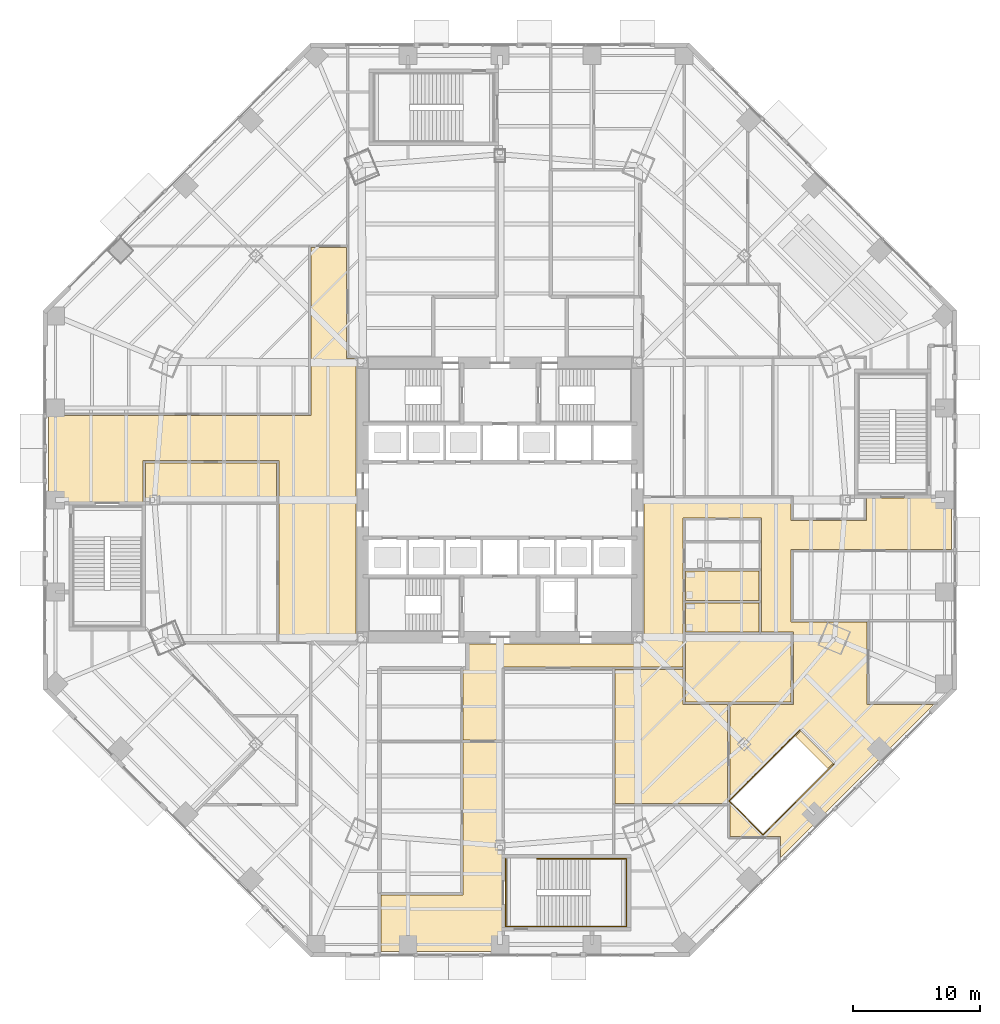
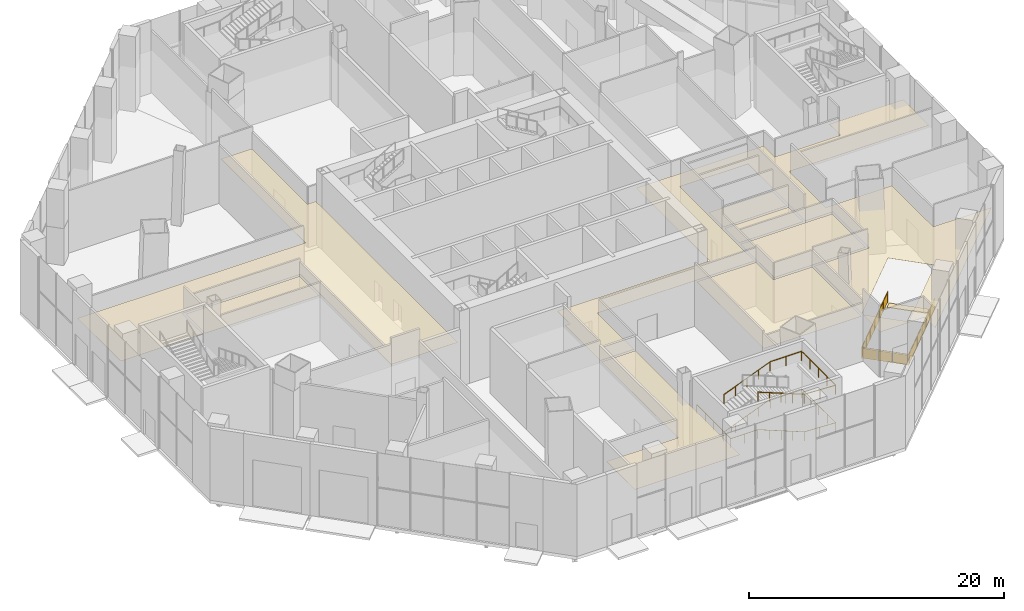
# One storey, part 30 of 35: 9 coverings, 3 railings.
"""IFC4 building model written with IfcOpenShell, lengths in metres."""

from ifc_helpers import new_model, si_unit, direction, frame, origin, origin_2d, place, context, subcontext, project, spatial, polyline, circle, outline, extrude, material, layer, layer_set, type_object, element, save


model = new_model("IFC4")

# Units and contexts
model_context = context("Model", 3, precision=1e-05, world=origin(), true_north=direction((0.0, 1.0)))
body_context = subcontext(model_context, "Body", "Model", "MODEL_VIEW")
ifc_project = project(units=[si_unit("LENGTHUNIT", "METRE"), si_unit("AREAUNIT", "SQUARE_METRE"), si_unit("VOLUMEUNIT", "CUBIC_METRE"), si_unit("PLANEANGLEUNIT", "RADIAN"), si_unit("MASSUNIT", "GRAM", prefix="KILO")], contexts=[model_context])

# Site, building, storey
site_placement = place(None, origin())
site = spatial("IfcSite", under=ifc_project, at=site_placement, CompositionType="ELEMENT")
building_placement = place(site_placement, origin())
building = spatial("IfcBuilding", under=site, at=building_placement, Name="Mashrafa Tower", CompositionType="ELEMENT")
storey_placement = place(building_placement, origin())
storey = spatial("IfcBuildingStorey", under=building, at=storey_placement, Name="L00", CompositionType="ELEMENT", Elevation=0.0)

# Covering
ifc_material_1 = material(Name="Stainless steel chequer plate flooring", Category="steel")
ifc_layer_1 = layer(ifc_material_1, 0.050048828125)
ifc_layer_set_1 = layer_set([ifc_layer_1], Name="Escalator landing plate 50")
covering_type_1 = type_object("IfcCoveringType", Name="Escalator landing plate 50", PredefinedType="FLOORING", material=ifc_layer_set_1)
covering_1_placement = place(storey_placement, frame((0.0, 0.0, -0.050048828125)))
element("IfcCovering", 1, at=covering_1_placement, inside=storey, type_object=covering_type_1, Name="Escalator landing plate L00", PredefinedType="FLOORING", context=body_context, shape_type="SweptSolid", body=[
    extrude(outline(polyline([(23.259765625, -18.60107421875), (25.805419921875, -21.146484375), (26.2294921875, -20.722412109375), (23.68408203125, -18.1767578125), (23.259765625, -18.60107421875)])), origin(), (0.0, 0.0, 1.0), 0.050048828125),
])

# Railings
ifc_material_2 = material(Name="Steel guard with glass infill", Category="steel")
railing_type_1 = type_object("IfcRailingType", Name="Opening guard 1100", PredefinedType="GUARDRAIL", material=ifc_material_2)
railing_1_placement = place(storey_placement, frame((23.61328125, -18.10595703125, 0.0)))
element("IfcRailing", 2, at=railing_1_placement, inside=storey, type_object=railing_type_1, Name="Escalator opening guard L00", PredefinedType="GUARDRAIL", context=body_context, shape_type="SweptSolid", body=[
    extrude(circle(Radius=0.02392578125, at=origin_2d()), frame((0.0, 0.0, 1.076171875), z_axis=(-0.707106781187, -0.707106781187, 0.0), x_axis=(0.707106781187, -0.707106781187, 0.0)), (0.0, 0.0, 1.0), 7.894287109375),
    extrude(circle(Radius=0.02392578125, at=origin_2d()), frame((-5.58203125, -5.58203125, 1.076171875), z_axis=(0.707106781187, -0.707106781187, 0.0), x_axis=(0.707106781187, 0.707106781187, 0.0)), (0.0, 0.0, 1.0), 3.800048828125),
    extrude(circle(Radius=0.02392578125, at=origin_2d()), frame((-2.89501953125, -8.26904296875, 1.076171875), z_axis=(0.707106781187, 0.707106781187, 0.0), x_axis=(-0.707106781187, 0.707106781187, 0.0)), (0.0, 0.0, 1.0), 7.894287109375),
    extrude(circle(Radius=0.02099609375, at=origin_2d()), origin(), (0.0, 0.0, 1.0), 1.052001953125),
    extrude(circle(Radius=0.02099609375, at=origin_2d()), frame((-0.930419921875, -0.930419921875, 0.0)), (0.0, 0.0, 1.0), 1.052001953125),
    extrude(circle(Radius=0.02099609375, at=origin_2d()), frame((-1.860595703125, -1.860595703125, 0.0)), (0.0, 0.0, 1.0), 1.052001953125),
    extrude(circle(Radius=0.02099609375, at=origin_2d()), frame((-2.791015625, -2.791015625, 0.0)), (0.0, 0.0, 1.0), 1.052001953125),
    extrude(circle(Radius=0.02099609375, at=origin_2d()), frame((-3.721435546875, -3.721435546875, 0.0)), (0.0, 0.0, 1.0), 1.052001953125),
    extrude(circle(Radius=0.02099609375, at=origin_2d()), frame((-4.651611328125, -4.651611328125, 0.0)), (0.0, 0.0, 1.0), 1.052001953125),
    extrude(circle(Radius=0.02099609375, at=origin_2d()), frame((-5.58203125, -5.58203125, 0.0)), (0.0, 0.0, 1.0), 1.052001953125),
    extrude(circle(Radius=0.02099609375, at=origin_2d()), frame((-4.686279296875, -6.477783203125, 0.0)), (0.0, 0.0, 1.0), 1.052001953125),
    extrude(circle(Radius=0.02099609375, at=origin_2d()), frame((-3.790771484375, -7.373291015625, 0.0)), (0.0, 0.0, 1.0), 1.052001953125),
    extrude(circle(Radius=0.02099609375, at=origin_2d()), frame((-2.89501953125, -8.26904296875, 0.0)), (0.0, 0.0, 1.0), 1.052001953125),
    extrude(circle(Radius=0.02099609375, at=origin_2d()), frame((-1.964599609375, -7.338623046875, 0.0)), (0.0, 0.0, 1.0), 1.052001953125),
    extrude(circle(Radius=0.02099609375, at=origin_2d()), frame((-1.034423828125, -6.408447265625, 0.0)), (0.0, 0.0, 1.0), 1.052001953125),
    extrude(circle(Radius=0.02099609375, at=origin_2d()), frame((-0.10400390625, -5.47802734375, 0.0)), (0.0, 0.0, 1.0), 1.052001953125),
    extrude(circle(Radius=0.02099609375, at=origin_2d()), frame((0.826416015625, -4.547607421875, 0.0)), (0.0, 0.0, 1.0), 1.052001953125),
    extrude(circle(Radius=0.02099609375, at=origin_2d()), frame((1.756591796875, -3.617431640625, 0.0)), (0.0, 0.0, 1.0), 1.052001953125),
    extrude(circle(Radius=0.02099609375, at=origin_2d()), frame((2.68701171875, -2.68701171875, 0.0)), (0.0, 0.0, 1.0), 1.052001953125),
    extrude(outline(polyline([(0.071044921875, 0.050048828125), (1.24462890625, 0.050048828125), (1.24462890625, 1.001953125), (0.071044921875, 1.001953125), (0.071044921875, 0.050048828125)])), frame((-0.004150390625, 0.004150390625, 0.0), z_axis=(-0.707106781187, 0.707106781187, 0.0), x_axis=(-0.707106781187, -0.707106781187, 0.0)), (0.0, 0.0, 1.0), 0.011962890625),
    extrude(outline(polyline([(1.38671875, 0.050048828125), (2.560302734375, 0.050048828125), (2.560302734375, 1.001953125), (1.38671875, 1.001953125), (1.38671875, 0.050048828125)])), frame((-0.004150390625, 0.004150390625, 0.0), z_axis=(-0.707106781187, 0.707106781187, 0.0), x_axis=(-0.707106781187, -0.707106781187, 0.0)), (0.0, 0.0, 1.0), 0.011962890625),
    extrude(outline(polyline([(2.702392578125, 0.050048828125), (3.8759765625, 0.050048828125), (3.8759765625, 1.001953125), (2.702392578125, 1.001953125), (2.702392578125, 0.050048828125)])), frame((-0.004150390625, 0.004150390625, 0.0), z_axis=(-0.707106781187, 0.707106781187, 0.0), x_axis=(-0.707106781187, -0.707106781187, 0.0)), (0.0, 0.0, 1.0), 0.011962890625),
    extrude(outline(polyline([(4.01806640625, 0.050048828125), (5.19189453125, 0.050048828125), (5.19189453125, 1.001953125), (4.01806640625, 1.001953125), (4.01806640625, 0.050048828125)])), frame((-0.004150390625, 0.004150390625, 0.0), z_axis=(-0.707106781187, 0.707106781187, 0.0), x_axis=(-0.707106781187, -0.707106781187, 0.0)), (0.0, 0.0, 1.0), 0.011962890625),
    extrude(outline(polyline([(5.333740234375, 0.050048828125), (6.507568359375, 0.050048828125), (6.507568359375, 1.001953125), (5.333740234375, 1.001953125), (5.333740234375, 0.050048828125)])), frame((-0.004150390625, 0.004150390625, 0.0), z_axis=(-0.707106781187, 0.707106781187, 0.0), x_axis=(-0.707106781187, -0.707106781187, 0.0)), (0.0, 0.0, 1.0), 0.011962890625),
    extrude(outline(polyline([(6.6494140625, 0.050048828125), (7.8232421875, 0.050048828125), (7.8232421875, 1.001953125), (6.6494140625, 1.001953125), (6.6494140625, 0.050048828125)])), frame((-0.004150390625, 0.004150390625, 0.0), z_axis=(-0.707106781187, 0.707106781187, 0.0), x_axis=(-0.707106781187, -0.707106781187, 0.0)), (0.0, 0.0, 1.0), 0.011962890625),
    extrude(outline(polyline([(0.071044921875, 0.050048828125), (1.195556640625, 0.050048828125), (1.195556640625, 1.001953125), (0.071044921875, 1.001953125), (0.071044921875, 0.050048828125)])), frame((-5.586181640625, -5.586181640625, 0.0), z_axis=(-0.707106781187, -0.707106781187, 0.0), x_axis=(0.707106781187, -0.707106781187, 0.0)), (0.0, 0.0, 1.0), 0.011962890625),
    extrude(outline(polyline([(1.337646484375, 0.050048828125), (2.46240234375, 0.050048828125), (2.46240234375, 1.001953125), (1.337646484375, 1.001953125), (1.337646484375, 0.050048828125)])), frame((-5.586181640625, -5.586181640625, 0.0), z_axis=(-0.707106781187, -0.707106781187, 0.0), x_axis=(0.707106781187, -0.707106781187, 0.0)), (0.0, 0.0, 1.0), 0.011962890625),
    extrude(outline(polyline([(2.604248046875, 0.050048828125), (3.72900390625, 0.050048828125), (3.72900390625, 1.001953125), (2.604248046875, 1.001953125), (2.604248046875, 0.050048828125)])), frame((-5.586181640625, -5.586181640625, 0.0), z_axis=(-0.707106781187, -0.707106781187, 0.0), x_axis=(0.707106781187, -0.707106781187, 0.0)), (0.0, 0.0, 1.0), 0.011962890625),
    extrude(outline(polyline([(0.071044921875, 0.050048828125), (1.24462890625, 0.050048828125), (1.24462890625, 1.001953125), (0.071044921875, 1.001953125), (0.071044921875, 0.050048828125)])), frame((-2.890869140625, -8.273193359375, 0.0), z_axis=(0.707106781187, -0.707106781187, 0.0), x_axis=(0.707106781187, 0.707106781187, 0.0)), (0.0, 0.0, 1.0), 0.011962890625),
    extrude(outline(polyline([(1.38671875, 0.050048828125), (2.560302734375, 0.050048828125), (2.560302734375, 1.001953125), (1.38671875, 1.001953125), (1.38671875, 0.050048828125)])), frame((-2.890869140625, -8.273193359375, 0.0), z_axis=(0.707106781187, -0.707106781187, 0.0), x_axis=(0.707106781187, 0.707106781187, 0.0)), (0.0, 0.0, 1.0), 0.011962890625),
    extrude(outline(polyline([(2.702392578125, 0.050048828125), (3.8759765625, 0.050048828125), (3.8759765625, 1.001953125), (2.702392578125, 1.001953125), (2.702392578125, 0.050048828125)])), frame((-2.890869140625, -8.273193359375, 0.0), z_axis=(0.707106781187, -0.707106781187, 0.0), x_axis=(0.707106781187, 0.707106781187, 0.0)), (0.0, 0.0, 1.0), 0.011962890625),
    extrude(outline(polyline([(4.01806640625, 0.050048828125), (5.19189453125, 0.050048828125), (5.19189453125, 1.001953125), (4.01806640625, 1.001953125), (4.01806640625, 0.050048828125)])), frame((-2.890869140625, -8.273193359375, 0.0), z_axis=(0.707106781187, -0.707106781187, 0.0), x_axis=(0.707106781187, 0.707106781187, 0.0)), (0.0, 0.0, 1.0), 0.011962890625),
    extrude(outline(polyline([(5.333740234375, 0.050048828125), (6.507568359375, 0.050048828125), (6.507568359375, 1.001953125), (5.333740234375, 1.001953125), (5.333740234375, 0.050048828125)])), frame((-2.890869140625, -8.273193359375, 0.0), z_axis=(0.707106781187, -0.707106781187, 0.0), x_axis=(0.707106781187, 0.707106781187, 0.0)), (0.0, 0.0, 1.0), 0.011962890625),
    extrude(outline(polyline([(6.6494140625, 0.050048828125), (7.8232421875, 0.050048828125), (7.8232421875, 1.001953125), (6.6494140625, 1.001953125), (6.6494140625, 0.050048828125)])), frame((-2.890869140625, -8.273193359375, 0.0), z_axis=(0.707106781187, -0.707106781187, 0.0), x_axis=(0.707106781187, 0.707106781187, 0.0)), (0.0, 0.0, 1.0), 0.011962890625),
])
ifc_material_3 = material(Name="Steel", Category="steel")
railing_type_2 = type_object("IfcRailingType", Name="Stair handrail 900", PredefinedType="HANDRAIL", material=ifc_material_3)
railing_2_placement = place(storey_placement, frame((2.89990234375, -28.25, 0.1201171875)))
element("IfcRailing", 3, at=railing_2_placement, inside=storey, type_object=railing_type_2, Name="Stair P4 handrail L00", PredefinedType="HANDRAIL", context=body_context, shape_type="SweptSolid", body=[
    extrude(circle(Radius=0.02392578125, at=origin_2d()), frame((0.0, 0.0, 0.8759765625), z_axis=(0.928487856528, 0.0, 0.37136276103), x_axis=(0.0, 1.0, 0.0)), (0.0, 0.0, 1.0), 4.523681640625),
    extrude(circle(Radius=0.02392578125, at=origin_2d()), frame((4.2001953125, 0.0, 2.5556640625), z_axis=(1.0, 0.0, 0.0), x_axis=(0.0, 1.0, 0.0)), (0.0, 0.0, 1.0), 2.849853515625),
    extrude(circle(Radius=0.02392578125, at=origin_2d()), frame((7.050048828125, 0.0, 2.5556640625), z_axis=(0.0, -1.0, 0.0), x_axis=(1.0, 0.0, 0.0)), (0.0, 0.0, 1.0), 5.35009765625),
    extrude(circle(Radius=0.02392578125, at=origin_2d()), frame((7.050048828125, -5.35009765625, 2.5556640625), z_axis=(-0.999116529218, 0.0, 0.042025718825), x_axis=(0.0, -1.0, 0.0)), (0.0, 0.0, 1.0), 2.852294921875),
    extrude(circle(Radius=0.02392578125, at=origin_2d()), frame((4.2001953125, -5.35009765625, 2.67578125), z_axis=(-0.928469246806, 0.0, 0.37140928601), x_axis=(0.0, -1.0, 0.0)), (0.0, 0.0, 1.0), 4.523681640625),
    extrude(circle(Radius=0.02392578125, at=origin_2d()), frame((0.0, -5.35009765625, 4.35595703125), z_axis=(-1.0, 0.0, 0.0), x_axis=(0.0, -1.0, 0.0)), (0.0, 0.0, 1.0), 2.449951171875),
    extrude(circle(Radius=0.02392578125, at=origin_2d()), frame((-2.449951171875, -5.35009765625, 4.35595703125), z_axis=(0.0, 1.0, 0.0), x_axis=(-1.0, 0.0, 0.0)), (0.0, 0.0, 1.0), 5.35009765625),
    extrude(circle(Radius=0.02099609375, at=origin_2d()), origin(), (0.0, 0.0, 1.0), 0.851806640625),
    extrude(circle(Radius=0.02099609375, at=origin_2d()), frame((1.050048828125, 0.0, 0.419921875)), (0.0, 0.0, 1.0), 0.851806640625),
    extrude(circle(Radius=0.02099609375, at=origin_2d()), frame((2.10009765625, 0.0, 0.83984375)), (0.0, 0.0, 1.0), 0.851806640625),
    extrude(circle(Radius=0.02099609375, at=origin_2d()), frame((3.150146484375, 0.0, 1.260009765625)), (0.0, 0.0, 1.0), 0.851806640625),
    extrude(circle(Radius=0.02099609375, at=origin_2d()), frame((4.2001953125, 0.0, 1.679931640625)), (0.0, 0.0, 1.0), 0.851806640625),
    extrude(circle(Radius=0.02099609375, at=origin_2d()), frame((5.625, 0.0, 1.679931640625)), (0.0, 0.0, 1.0), 0.851806640625),
    extrude(circle(Radius=0.02099609375, at=origin_2d()), frame((7.050048828125, 0.0, 1.679931640625)), (0.0, 0.0, 1.0), 0.851806640625),
    extrude(circle(Radius=0.02099609375, at=origin_2d()), frame((7.050048828125, -1.33740234375, 1.679931640625)), (0.0, 0.0, 1.0), 0.851806640625),
    extrude(circle(Radius=0.02099609375, at=origin_2d()), frame((7.050048828125, -2.675048828125, 1.679931640625)), (0.0, 0.0, 1.0), 0.851806640625),
    extrude(circle(Radius=0.02099609375, at=origin_2d()), frame((7.050048828125, -4.0126953125, 1.679931640625)), (0.0, 0.0, 1.0), 0.851806640625),
    extrude(circle(Radius=0.02099609375, at=origin_2d()), frame((7.050048828125, -5.35009765625, 1.679931640625)), (0.0, 0.0, 1.0), 0.851806640625),
    extrude(circle(Radius=0.02099609375, at=origin_2d()), frame((5.625, -5.35009765625, 1.73974609375)), (0.0, 0.0, 1.0), 0.851806640625),
    extrude(circle(Radius=0.02099609375, at=origin_2d()), frame((4.2001953125, -5.35009765625, 1.7998046875)), (0.0, 0.0, 1.0), 0.851806640625),
    extrude(circle(Radius=0.02099609375, at=origin_2d()), frame((3.150146484375, -5.35009765625, 2.2197265625)), (0.0, 0.0, 1.0), 0.851806640625),
    extrude(circle(Radius=0.02099609375, at=origin_2d()), frame((2.10009765625, -5.35009765625, 2.639892578125)), (0.0, 0.0, 1.0), 0.851806640625),
    extrude(circle(Radius=0.02099609375, at=origin_2d()), frame((1.050048828125, -5.35009765625, 3.06005859375)), (0.0, 0.0, 1.0), 0.851806640625),
    extrude(circle(Radius=0.02099609375, at=origin_2d()), frame((0.0, -5.35009765625, 3.47998046875)), (0.0, 0.0, 1.0), 0.851806640625),
    extrude(circle(Radius=0.02099609375, at=origin_2d()), frame((-1.22509765625, -5.35009765625, 3.47998046875)), (0.0, 0.0, 1.0), 0.851806640625),
    extrude(circle(Radius=0.02099609375, at=origin_2d()), frame((-2.449951171875, -5.35009765625, 3.47998046875)), (0.0, 0.0, 1.0), 0.851806640625),
    extrude(circle(Radius=0.02099609375, at=origin_2d()), frame((-2.449951171875, -4.0126953125, 3.47998046875)), (0.0, 0.0, 1.0), 0.851806640625),
    extrude(circle(Radius=0.02099609375, at=origin_2d()), frame((-2.449951171875, -2.675048828125, 3.47998046875)), (0.0, 0.0, 1.0), 0.851806640625),
    extrude(circle(Radius=0.02099609375, at=origin_2d()), frame((-2.449951171875, -1.33740234375, 3.47998046875)), (0.0, 0.0, 1.0), 0.851806640625),
    extrude(circle(Radius=0.02099609375, at=origin_2d()), frame((-2.449951171875, 0.0, 3.47998046875)), (0.0, 0.0, 1.0), 0.851806640625),
])
railing_3_placement = place(storey_placement, frame((2.89990234375, -28.25, 3.719970703125)))
element("IfcRailing", 4, at=railing_3_placement, inside=storey, type_object=railing_type_2, Name="Stair P4 upper handrail L00", PredefinedType="HANDRAIL", context=body_context, shape_type="SweptSolid", body=[
    extrude(circle(Radius=0.02392578125, at=origin_2d()), frame((0.0, 0.0, 0.8759765625), z_axis=(0.928487856528, 0.0, 0.37136276103), x_axis=(0.0, 1.0, 0.0)), (0.0, 0.0, 1.0), 4.523681640625),
    extrude(circle(Radius=0.02392578125, at=origin_2d()), frame((4.2001953125, 0.0, 2.5556640625), z_axis=(1.0, 0.0, 0.0), x_axis=(0.0, 1.0, 0.0)), (0.0, 0.0, 1.0), 2.849853515625),
    extrude(circle(Radius=0.02392578125, at=origin_2d()), frame((7.050048828125, 0.0, 2.5556640625), z_axis=(0.0, -1.0, 0.0), x_axis=(1.0, 0.0, 0.0)), (0.0, 0.0, 1.0), 5.35009765625),
    extrude(circle(Radius=0.02392578125, at=origin_2d()), frame((7.050048828125, -5.35009765625, 2.5556640625), z_axis=(-0.999112931687, 0.0, 0.04211115929), x_axis=(0.0, -1.0, 0.0)), (0.0, 0.0, 1.0), 2.852294921875),
    extrude(circle(Radius=0.02392578125, at=origin_2d()), frame((4.2001953125, -5.35009765625, 2.67578125), z_axis=(-0.928487856528, 0.0, 0.37136276103), x_axis=(0.0, -1.0, 0.0)), (0.0, 0.0, 1.0), 4.523681640625),
    extrude(circle(Radius=0.02099609375, at=origin_2d()), origin(), (0.0, 0.0, 1.0), 0.851806640625),
    extrude(circle(Radius=0.02099609375, at=origin_2d()), frame((1.050048828125, 0.0, 0.419921875)), (0.0, 0.0, 1.0), 0.851806640625),
    extrude(circle(Radius=0.02099609375, at=origin_2d()), frame((2.10009765625, 0.0, 0.83984375)), (0.0, 0.0, 1.0), 0.851806640625),
    extrude(circle(Radius=0.02099609375, at=origin_2d()), frame((3.150146484375, 0.0, 1.260009765625)), (0.0, 0.0, 1.0), 0.851806640625),
    extrude(circle(Radius=0.02099609375, at=origin_2d()), frame((4.2001953125, 0.0, 1.679931640625)), (0.0, 0.0, 1.0), 0.851806640625),
    extrude(circle(Radius=0.02099609375, at=origin_2d()), frame((5.625, 0.0, 1.679931640625)), (0.0, 0.0, 1.0), 0.851806640625),
    extrude(circle(Radius=0.02099609375, at=origin_2d()), frame((7.050048828125, 0.0, 1.679931640625)), (0.0, 0.0, 1.0), 0.851806640625),
    extrude(circle(Radius=0.02099609375, at=origin_2d()), frame((7.050048828125, -1.33740234375, 1.679931640625)), (0.0, 0.0, 1.0), 0.851806640625),
    extrude(circle(Radius=0.02099609375, at=origin_2d()), frame((7.050048828125, -2.675048828125, 1.679931640625)), (0.0, 0.0, 1.0), 0.851806640625),
    extrude(circle(Radius=0.02099609375, at=origin_2d()), frame((7.050048828125, -4.0126953125, 1.679931640625)), (0.0, 0.0, 1.0), 0.851806640625),
    extrude(circle(Radius=0.02099609375, at=origin_2d()), frame((7.050048828125, -5.35009765625, 1.679931640625)), (0.0, 0.0, 1.0), 0.851806640625),
    extrude(circle(Radius=0.02099609375, at=origin_2d()), frame((5.625, -5.35009765625, 1.739990234375)), (0.0, 0.0, 1.0), 0.851806640625),
    extrude(circle(Radius=0.02099609375, at=origin_2d()), frame((4.2001953125, -5.35009765625, 1.800048828125)), (0.0, 0.0, 1.0), 0.851806640625),
    extrude(circle(Radius=0.02099609375, at=origin_2d()), frame((3.150146484375, -5.35009765625, 2.219970703125)), (0.0, 0.0, 1.0), 0.851806640625),
    extrude(circle(Radius=0.02099609375, at=origin_2d()), frame((2.10009765625, -5.35009765625, 2.64013671875)), (0.0, 0.0, 1.0), 0.851806640625),
    extrude(circle(Radius=0.02099609375, at=origin_2d()), frame((1.050048828125, -5.35009765625, 3.06005859375)), (0.0, 0.0, 1.0), 0.851806640625),
    extrude(circle(Radius=0.02099609375, at=origin_2d()), frame((0.0, -5.35009765625, 3.47998046875)), (0.0, 0.0, 1.0), 0.851806640625),
])

# Coverings
ifc_material_4 = material(Name="Mineral fibre tile on suspension grid")
ifc_layer_2 = layer(ifc_material_4, 0.014892578125)
ifc_layer_set_2 = layer_set([ifc_layer_2], Name="Suspended ceiling mineral tile 15")
covering_type_2 = type_object("IfcCoveringType", Name="Suspended ceiling mineral tile 15", PredefinedType="CEILING", material=ifc_layer_set_2)
covering_2_placement = place(storey_placement, frame((0.0, 0.0, 4.199951171875)))
element("IfcCovering", 5, at=covering_2_placement, inside=storey, type_object=covering_type_2, Name="Ceiling WC Female L00", PredefinedType="CEILING", context=body_context, shape_type="SweptSolid", body=[
    extrude(outline(polyline([(14.60009765625, -8.10009765625), (20.39990234375, -8.10009765625), (20.39990234375, -10.39990234375), (14.60009765625, -10.39990234375), (14.60009765625, -8.10009765625)])), origin(), (0.0, 0.0, 1.0), 0.01513671875),
])
covering_3_placement = place(storey_placement, frame((0.0, 0.0, 4.199951171875)))
element("IfcCovering", 6, at=covering_3_placement, inside=storey, type_object=covering_type_2, Name="Ceiling WC Male L00", PredefinedType="CEILING", context=body_context, shape_type="SweptSolid", body=[
    extrude(outline(polyline([(14.60009765625, -5.60009765625), (20.39990234375, -5.60009765625), (20.39990234375, -7.89990234375), (14.60009765625, -7.89990234375), (14.60009765625, -5.60009765625)])), origin(), (0.0, 0.0, 1.0), 0.01513671875),
])
covering_4_placement = place(storey_placement, frame((0.0, 0.0, 4.199951171875)))
element("IfcCovering", 7, at=covering_4_placement, inside=storey, type_object=covering_type_2, Name="Ceiling Observation Ticket Office L00", PredefinedType="CEILING", context=body_context, shape_type="SweptSolid", body=[
    extrude(outline(polyline([(-27.89990234375, 2.89990234375), (-17.60009765625, 2.89990234375), (-17.60009765625, -0.14990234375), (-27.89990234375, -0.14990234375), (-27.89990234375, 2.89990234375)])), origin(), (0.0, 0.0, 1.0), 0.01513671875),
])
covering_5_placement = place(storey_placement, frame((0.0, 0.0, 4.199951171875)))
element("IfcCovering", 8, at=covering_5_placement, inside=storey, type_object=covering_type_2, Name="Ceiling Retail Unit 004", PredefinedType="CEILING", context=body_context, shape_type="SweptSolid", body=[
    extrude(outline(polyline([(9.050048828125, -23.89990234375), (9.050048828125, -13.35009765625), (14.39990234375, -13.35009765625), (14.39990234375, -16.10009765625), (17.89990234375, -16.10009765625), (17.89990234375, -23.89990234375), (9.050048828125, -23.89990234375)])), origin(), (0.0, 0.0, 1.0), 0.01513671875),
])
covering_6_placement = place(storey_placement, frame((0.0, 0.0, 4.199951171875)))
element("IfcCovering", 9, at=covering_6_placement, inside=storey, type_object=covering_type_2, Name="Ceiling Retail Unit 005", PredefinedType="CEILING", context=body_context, shape_type="SweptSolid", body=[
    extrude(outline(polyline([(14.60009765625, -15.89990234375), (14.60009765625, -10.60009765625), (22.89990234375, -10.60009765625), (22.89990234375, -15.89990234375), (14.60009765625, -15.89990234375)])), origin(), (0.0, 0.0, 1.0), 0.01513671875),
])
covering_7_placement = place(storey_placement, frame((0.0, 0.0, 4.199951171875)))
element("IfcCovering", 10, at=covering_7_placement, inside=storey, type_object=covering_type_2, Name="Ceiling Apartment Lobby", PredefinedType="CEILING", context=body_context, shape_type="SweptSolid", body=[
    extrude(outline(polyline([(0.14990234375, -19.10009765625), (0.14990234375, -35.550048828125), (-9.389892578125, -35.550048828125), (-9.389892578125, -31.10009765625), (-2.89990234375, -31.10009765625), (-2.89990234375, -19.10009765625), (0.14990234375, -19.10009765625)])), origin(), (0.0, 0.0, 1.0), 0.01513671875),
])
covering_8_placement = place(storey_placement, frame((0.0, 0.0, 4.199951171875)))
element("IfcCovering", 11, at=covering_8_placement, inside=storey, type_object=covering_type_2, Name="Ceiling Observation Entrance Hall", PredefinedType="CEILING", context=body_context, shape_type="SweptSolid", body=[
    extrude(outline(polyline([(-17.39990234375, -11.14990234375), (-17.39990234375, 3.10009765625), (-28.10009765625, 3.10009765625), (-28.10009765625, -0.14990234375), (-35.550048828125, -0.14990234375), (-35.550048828125, 6.64990234375), (-14.89990234375, 6.64990234375), (-14.89990234375, 19.89990234375), (-12.10009765625, 19.89990234375), (-12.10009765625, 11.14990234375), (-11.35009765625, 11.14990234375), (-11.35009765625, -11.14990234375), (-17.39990234375, -11.14990234375)])), origin(), (0.0, 0.0, 1.0), 0.01513671875),
])
covering_9_placement = place(storey_placement, frame((0.0, 0.0, 4.199951171875)))
element("IfcCovering", 12, at=covering_9_placement, inside=storey, type_object=covering_type_2, Name="Ceiling Transit Hall", PredefinedType="CEILING", context=body_context, shape_type="SweptSolid", body=[
    extrude(outline(polyline([(18.10009765625, -23.7568359375), (20.71826171875, -26.375), (26.37109375, -20.722412109375), (23.68408203125, -18.035400390625), (18.10009765625, -23.619384765625), (18.10009765625, -16.10009765625), (23.10009765625, -16.10009765625), (23.10009765625, -10.39990234375), (20.60009765625, -10.39990234375), (20.60009765625, -1.39990234375), (14.39990234375, -1.39990234375), (14.39990234375, -13.14990234375), (0.14990234375, -13.14990234375), (0.14990234375, -18.89990234375), (-2.89990234375, -18.89990234375), (-2.89990234375, -13.35009765625), (-2.449951171875, -13.35009765625), (-2.449951171875, -11.35009765625), (11.35009765625, -11.35009765625), (11.35009765625, 0.14990234375), (22.89990234375, 0.14990234375), (22.89990234375, -1.60009765625), (28.85009765625, -1.60009765625), (28.85009765625, 0.14990234375), (35.550048828125, 0.14990234375), (35.550048828125, -3.89990234375), (22.89990234375, -3.89990234375), (22.89990234375, -9.60009765625), (28.89990234375, -9.60009765625), (28.89990234375, -16.10009765625), (34.17529296875, -16.10009765625), (22.10009765625, -28.17529296875), (22.10009765625, -26.5), (18.10009765625, -26.5), (18.10009765625, -23.7568359375)])), origin(), (0.0, 0.0, 1.0), 0.01513671875),
])

save(model, "model.ifc")
